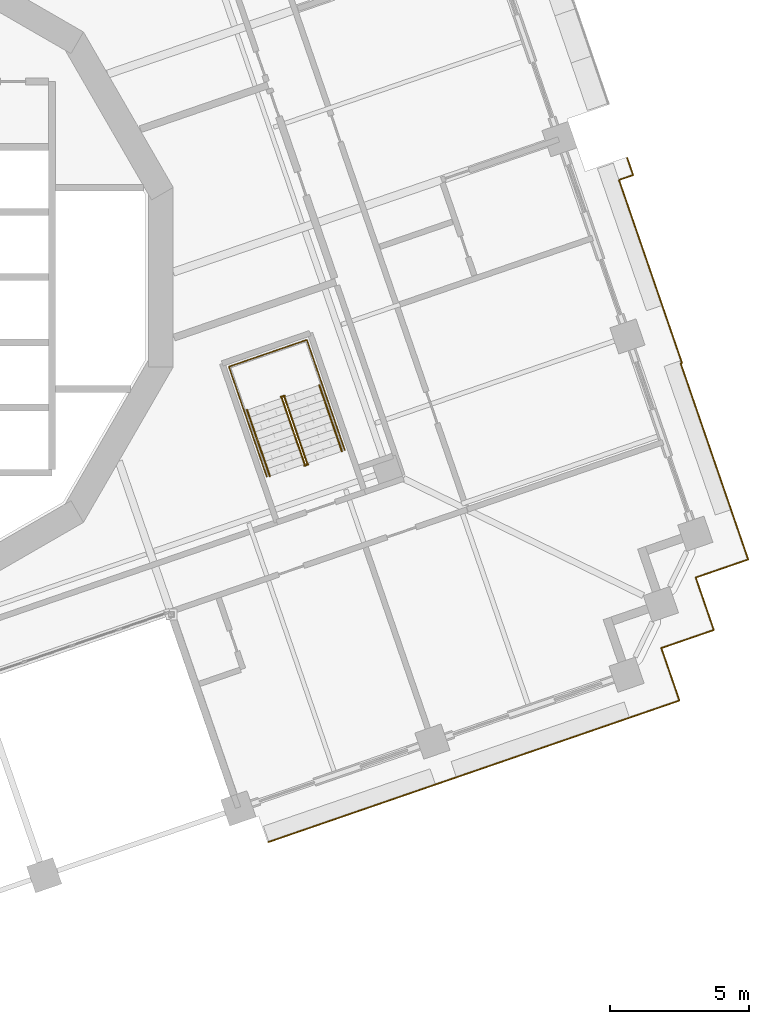
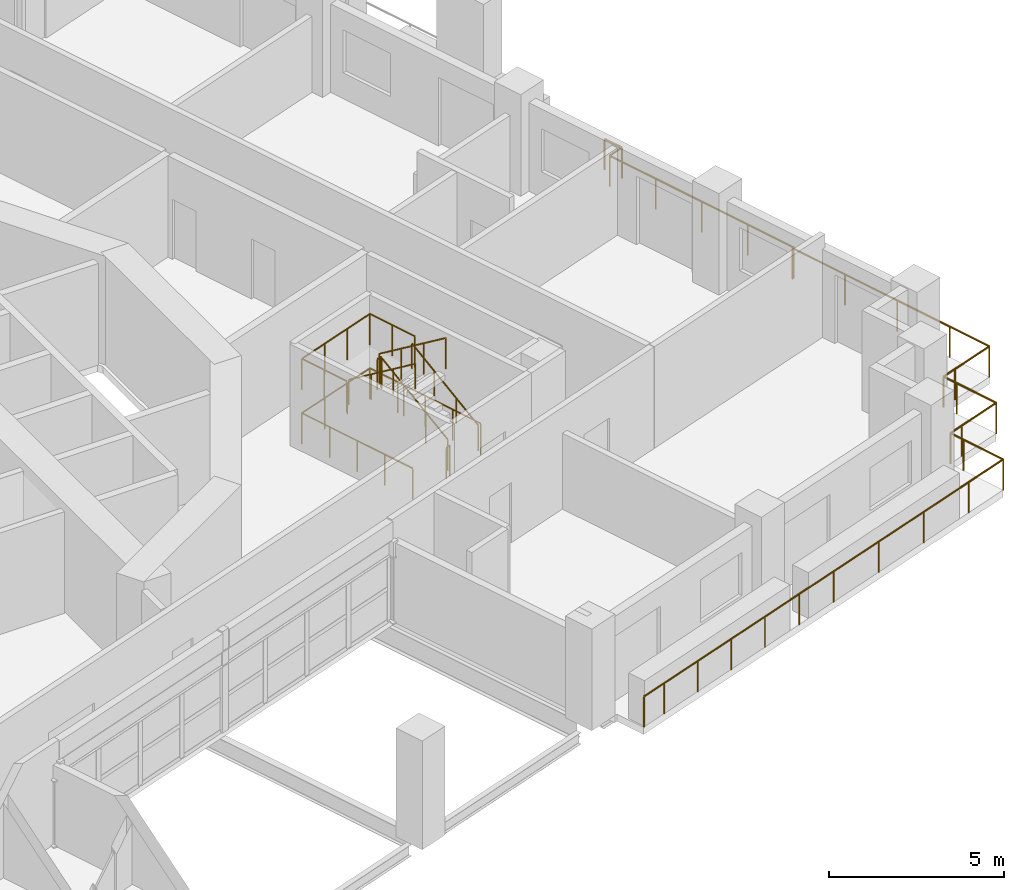
# One storey, part 18 of 22: 9 railings.
"""IFC4 building model written with IfcOpenShell, lengths in metres."""

from ifc_helpers import new_model, si_unit, direction, frame, origin, origin_2d, place, context, subcontext, project, spatial, circle, extrude, material, type_object, element, save


model = new_model("IFC4")

# Units and contexts
model_context = context("Model", 3, precision=1e-05, world=origin(), true_north=direction((0.0, 1.0)))
body_context = subcontext(model_context, "Body", "Model", "MODEL_VIEW")
ifc_project = project(units=[si_unit("LENGTHUNIT", "METRE"), si_unit("AREAUNIT", "SQUARE_METRE"), si_unit("VOLUMEUNIT", "CUBIC_METRE"), si_unit("PLANEANGLEUNIT", "RADIAN"), si_unit("MASSUNIT", "GRAM", prefix="KILO")], contexts=[model_context])

# Site, building, storey
site_placement = place(None, origin())
site = spatial("IfcSite", under=ifc_project, at=site_placement, CompositionType="ELEMENT")
building_placement = place(site_placement, origin())
building = spatial("IfcBuilding", under=site, at=building_placement, Name="Cantera Rosa Tower", CompositionType="ELEMENT")
storey_placement = place(building_placement, frame((0.0, 0.0, 104.10009765625)))
storey = spatial("IfcBuildingStorey", under=building, at=storey_placement, Name="L20", CompositionType="ELEMENT", Elevation=104.10009765625)

# Railings
ifc_material_1 = material(Name="Stainless steel and laminated glass", Category="steel")
railing_type_1 = type_object("IfcRailingType", Name="GUARD 1100", PredefinedType="BALUSTRADE", material=ifc_material_1)
railing_1_placement = place(storey_placement, frame((29.6689453125, -13.369140625, 0.0)))
element("IfcRailing", 1, at=railing_1_placement, inside=storey, type_object=railing_type_1, Name="GUARD L20-8", PredefinedType="BALUSTRADE", context=body_context, shape_type="SweptSolid", body=[
    extrude(circle(Radius=0.030029296875, at=origin_2d()), frame((0.0, 0.0, 1.070068359375), z_axis=(0.32573481536, -0.945461173218, 0.0), x_axis=(0.945461173218, 0.32573481536, 0.0)), (0.0, 0.0, 1.0), 0.5),
    extrude(circle(Radius=0.030029296875, at=origin_2d()), frame((0.162841796875, -0.47265625, 1.070068359375), z_axis=(0.325489086777, -0.945545797087, 0.0), x_axis=(0.945545797087, 0.325489086777, 0.0)), (0.0, 0.0, 1.0), 1.500244140625),
    extrude(circle(Radius=0.030029296875, at=origin_2d()), frame((0.651123046875, -1.89111328125, 1.070068359375), z_axis=(-0.945528551438, -0.325539181077, 0.0), x_axis=(0.325539181077, -0.945528551438, 0.0)), (0.0, 0.0, 1.0), 1.5),
    extrude(circle(Radius=0.030029296875, at=origin_2d()), frame((-0.76708984375, -2.37939453125, 1.070068359375), z_axis=(-0.945517123015, -0.325572373037, 0.0), x_axis=(0.325572373037, -0.945517123015, 0.0)), (0.0, 0.0, 1.0), 5.900146484375),
    extrude(circle(Radius=0.030029296875, at=origin_2d()), frame((-6.345703125, -4.30029296875, 1.070068359375), z_axis=(-0.945528551438, -0.325539181077, 0.0), x_axis=(0.325539181077, -0.945528551438, 0.0)), (0.0, 0.0, 1.0), 2.999755859375),
    extrude(circle(Radius=0.030029296875, at=origin_2d()), frame((-9.18212890625, -5.27685546875, 1.070068359375), z_axis=(-0.945513227049, -0.325583687361, 0.0), x_axis=(0.325583687361, -0.945513227049, 0.0)), (0.0, 0.0, 1.0), 4.400146484375),
    extrude(circle(Radius=0.030029296875, at=origin_2d()), frame((-13.342529296875, -6.70947265625, 1.070068359375), z_axis=(-0.945522007901, -0.325558186158, 0.0), x_axis=(0.325558186158, -0.945522007901, 0.0)), (0.0, 0.0, 1.0), 0.869873046875),
    extrude(circle(Radius=0.02490234375, at=origin_2d()), origin(), (0.0, 0.0, 1.0), 1.0400390625),
    extrude(circle(Radius=0.02490234375, at=origin_2d()), frame((0.162841796875, -0.47265625, 0.0)), (0.0, 0.0, 1.0), 1.0400390625),
    extrude(circle(Radius=0.02490234375, at=origin_2d()), frame((0.651123046875, -1.89111328125, 0.0)), (0.0, 0.0, 1.0), 1.0400390625),
    extrude(circle(Radius=0.02490234375, at=origin_2d()), frame((-0.76708984375, -2.37939453125, 0.0)), (0.0, 0.0, 1.0), 1.0400390625),
    extrude(circle(Radius=0.02490234375, at=origin_2d()), frame((-2.626708984375, -3.019775390625, 0.0)), (0.0, 0.0, 1.0), 1.0400390625),
    extrude(circle(Radius=0.02490234375, at=origin_2d()), frame((-4.486083984375, -3.659912109375, 0.0)), (0.0, 0.0, 1.0), 1.0400390625),
    extrude(circle(Radius=0.02490234375, at=origin_2d()), frame((-6.345703125, -4.30029296875, 0.0)), (0.0, 0.0, 1.0), 1.0400390625),
    extrude(circle(Radius=0.02490234375, at=origin_2d()), frame((-7.763916015625, -4.78857421875, 0.0)), (0.0, 0.0, 1.0), 1.0400390625),
    extrude(circle(Radius=0.02490234375, at=origin_2d()), frame((-9.18212890625, -5.27685546875, 0.0)), (0.0, 0.0, 1.0), 1.0400390625),
    extrude(circle(Radius=0.02490234375, at=origin_2d()), frame((-10.56884765625, -5.75439453125, 0.0)), (0.0, 0.0, 1.0), 1.0400390625),
    extrude(circle(Radius=0.02490234375, at=origin_2d()), frame((-11.955810546875, -6.23193359375, 0.0)), (0.0, 0.0, 1.0), 1.0400390625),
    extrude(circle(Radius=0.02490234375, at=origin_2d()), frame((-13.342529296875, -6.70947265625, 0.0)), (0.0, 0.0, 1.0), 1.0400390625),
    extrude(circle(Radius=0.02490234375, at=origin_2d()), frame((-14.1650390625, -6.99267578125, 0.0)), (0.0, 0.0, 1.0), 1.0400390625),
])
railing_2_placement = place(storey_placement, frame((28.4375, 4.302734375, 0.0)))
element("IfcRailing", 2, at=railing_2_placement, inside=storey, type_object=railing_type_1, Name="GUARD L20-9", PredefinedType="BALUSTRADE", context=body_context, shape_type="SweptSolid", body=[
    extrude(circle(Radius=0.030029296875, at=origin_2d()), frame((0.0, 0.0, 1.070068359375), z_axis=(0.325659546452, -0.945487101871, 0.0), x_axis=(0.945487101871, 0.325659546452, 0.0)), (0.0, 0.0, 1.0), 0.658935546875),
    extrude(circle(Radius=0.030029296875, at=origin_2d()), frame((0.214599609375, -0.623046875, 1.070068359375), z_axis=(-0.945368163096, -0.326004656722, 0.0), x_axis=(0.326004656722, -0.945368163096, 0.0)), (0.0, 0.0, 1.0), 0.538330078125),
    extrude(circle(Radius=0.030029296875, at=origin_2d()), frame((-0.29443359375, -0.798583984375, 1.070068359375), z_axis=(0.325570342636, -0.945517822146, 0.0), x_axis=(0.945517822146, 0.325570342636, 0.0)), (0.0, 0.0, 1.0), 6.9814453125),
    extrude(circle(Radius=0.030029296875, at=origin_2d()), frame((1.978515625, -7.399658203125, 1.070068359375), z_axis=(-0.946241776499, -0.323460199109, 0.0), x_axis=(0.323460199109, -0.946241776499, 0.0)), (0.0, 0.0, 1.0), 0.050537109375),
    extrude(circle(Radius=0.030029296875, at=origin_2d()), frame((1.9306640625, -7.416015625, 1.070068359375), z_axis=(0.325549503815, -0.945524997325, 0.0), x_axis=(0.945524997325, 0.325549503815, 0.0)), (0.0, 0.0, 1.0), 5.969482421875),
    extrude(circle(Radius=0.030029296875, at=origin_2d()), frame((3.8740234375, -13.060302734375, 1.070068359375), z_axis=(0.325539181077, -0.945528551438, 0.0), x_axis=(0.945528551438, 0.325539181077, 0.0)), (0.0, 0.0, 1.0), 1.5),
    extrude(circle(Radius=0.030029296875, at=origin_2d()), frame((4.3623046875, -14.478515625, 1.070068359375), z_axis=(-0.945528551438, -0.325539181077, 0.0), x_axis=(0.325539181077, -0.945528551438, 0.0)), (0.0, 0.0, 1.0), 1.5),
    extrude(circle(Radius=0.030029296875, at=origin_2d()), frame((2.944091796875, -14.966796875, 1.070068359375), z_axis=(-0.945461173218, -0.32573481536, 0.0), x_axis=(0.32573481536, -0.945461173218, 0.0)), (0.0, 0.0, 1.0), 0.5),
    extrude(circle(Radius=0.030029296875, at=origin_2d()), frame((2.471435546875, -15.129638671875, 1.070068359375), z_axis=(0.325147989177, -0.945663145699, 0.0), x_axis=(0.945663145699, 0.325147989177, 0.0)), (0.0, 0.0, 1.0), 0.5),
    extrude(circle(Radius=0.030029296875, at=origin_2d()), frame((2.634033203125, -15.6025390625, 1.070068359375), z_axis=(0.325684689469, -0.945478441343, 0.0), x_axis=(0.945478441343, 0.325684689469, 0.0)), (0.0, 0.0, 1.0), 1.5),
    extrude(circle(Radius=0.030029296875, at=origin_2d()), frame((3.12255859375, -17.020751953125, 1.070068359375), z_axis=(-0.945545797087, -0.325489086777, 0.0), x_axis=(0.325489086777, -0.945545797087, 0.0)), (0.0, 0.0, 1.0), 1.500244140625),
    extrude(circle(Radius=0.030029296875, at=origin_2d()), frame((1.7041015625, -17.509033203125, 1.070068359375), z_axis=(-0.945461173218, -0.32573481536, 0.0), x_axis=(0.32573481536, -0.945461173218, 0.0)), (0.0, 0.0, 1.0), 0.5),
    extrude(circle(Radius=0.02490234375, at=origin_2d()), origin(), (0.0, 0.0, 1.0), 1.0400390625),
    extrude(circle(Radius=0.02490234375, at=origin_2d()), frame((0.214599609375, -0.623046875, 0.0)), (0.0, 0.0, 1.0), 1.0400390625),
    extrude(circle(Radius=0.02490234375, at=origin_2d()), frame((-0.29443359375, -0.798583984375, 0.0)), (0.0, 0.0, 1.0), 1.0400390625),
    extrude(circle(Radius=0.02490234375, at=origin_2d()), frame((0.27392578125, -2.44873046875, 0.0)), (0.0, 0.0, 1.0), 1.0400390625),
    extrude(circle(Radius=0.02490234375, at=origin_2d()), frame((0.842041015625, -4.09912109375, 0.0)), (0.0, 0.0, 1.0), 1.0400390625),
    extrude(circle(Radius=0.02490234375, at=origin_2d()), frame((1.41015625, -5.74951171875, 0.0)), (0.0, 0.0, 1.0), 1.0400390625),
    extrude(circle(Radius=0.02490234375, at=origin_2d()), frame((1.978515625, -7.399658203125, 0.0)), (0.0, 0.0, 1.0), 1.0400390625),
    extrude(circle(Radius=0.02490234375, at=origin_2d()), frame((1.9306640625, -7.416015625, 0.0)), (0.0, 0.0, 1.0), 1.0400390625),
    extrude(circle(Radius=0.02490234375, at=origin_2d()), frame((2.578369140625, -9.29736328125, 0.0)), (0.0, 0.0, 1.0), 1.0400390625),
    extrude(circle(Radius=0.02490234375, at=origin_2d()), frame((3.226318359375, -11.178955078125, 0.0)), (0.0, 0.0, 1.0), 1.0400390625),
    extrude(circle(Radius=0.02490234375, at=origin_2d()), frame((3.8740234375, -13.060302734375, 0.0)), (0.0, 0.0, 1.0), 1.0400390625),
    extrude(circle(Radius=0.02490234375, at=origin_2d()), frame((4.3623046875, -14.478515625, 0.0)), (0.0, 0.0, 1.0), 1.0400390625),
    extrude(circle(Radius=0.02490234375, at=origin_2d()), frame((2.944091796875, -14.966796875, 0.0)), (0.0, 0.0, 1.0), 1.0400390625),
    extrude(circle(Radius=0.02490234375, at=origin_2d()), frame((2.471435546875, -15.129638671875, 0.0)), (0.0, 0.0, 1.0), 1.0400390625),
    extrude(circle(Radius=0.02490234375, at=origin_2d()), frame((2.634033203125, -15.6025390625, 0.0)), (0.0, 0.0, 1.0), 1.0400390625),
    extrude(circle(Radius=0.02490234375, at=origin_2d()), frame((3.12255859375, -17.020751953125, 0.0)), (0.0, 0.0, 1.0), 1.0400390625),
    extrude(circle(Radius=0.02490234375, at=origin_2d()), frame((1.7041015625, -17.509033203125, 0.0)), (0.0, 0.0, 1.0), 1.0400390625),
    extrude(circle(Radius=0.02490234375, at=origin_2d()), frame((1.2314453125, -17.671875, 0.0)), (0.0, 0.0, 1.0), 1.0400390625),
])
ifc_material_2 = material(Name="Steel S355J2 (EN 10025-2)", Category="steel")
railing_type_2 = type_object("IfcRailingType", Name="STAIR GUARD 1100", PredefinedType="GUARDRAIL", material=ifc_material_2)
railing_3_placement = place(storey_placement, frame((16.902099609375, -6.707763671875, 0.18994140625)))
element("IfcRailing", 3, at=railing_3_placement, inside=storey, type_object=railing_type_2, Name="L20 ST-23 stair guard 1", PredefinedType="GUARDRAIL", context=body_context, shape_type="SweptSolid", body=[
    extrude(circle(Radius=0.02392578125, at=origin_2d()), frame((0.0, 0.0, 1.076171875), z_axis=(-0.269358070891, 0.782421063063, 0.561483312059), x_axis=(-0.945537585866, -0.325512939397, 0.0)), (0.0, 0.0, 1.0), 3.04541015625),
    extrude(circle(Radius=0.02392578125, at=origin_2d()), frame((-0.8203125, 2.3828125, 2.7861328125), z_axis=(0.147491890402, 0.989063265047, 0.0), x_axis=(-0.989063265047, 0.147491890402, 0.0)), (0.0, 0.0, 1.0), 0.056396484375),
    extrude(circle(Radius=0.02392578125, at=origin_2d()), frame((-0.81201171875, 2.4384765625, 2.7861328125), z_axis=(-0.945545797087, -0.325489086777, 0.0), x_axis=(0.325489086777, -0.945545797087, 0.0)), (0.0, 0.0, 1.0), 0.14990234375),
    extrude(circle(Radius=0.02099609375, at=origin_2d()), origin(), (0.0, 0.0, 1.0), 1.052001953125),
    extrude(circle(Radius=0.02099609375, at=origin_2d()), frame((-0.2734375, 0.794189453125, 0.570068359375)), (0.0, 0.0, 1.0), 1.052001953125),
    extrude(circle(Radius=0.02099609375, at=origin_2d()), frame((-0.546875, 1.588623046875, 1.139892578125)), (0.0, 0.0, 1.0), 1.052001953125),
    extrude(circle(Radius=0.02099609375, at=origin_2d()), frame((-0.8203125, 2.3828125, 1.7099609375)), (0.0, 0.0, 1.0), 1.052001953125),
    extrude(circle(Radius=0.02099609375, at=origin_2d()), frame((-0.81201171875, 2.4384765625, 1.7099609375)), (0.0, 0.0, 1.0), 1.052001953125),
    extrude(circle(Radius=0.02099609375, at=origin_2d()), frame((-0.953857421875, 2.3896484375, 1.7099609375)), (0.0, 0.0, 1.0), 1.052001953125),
])
railing_4_placement = place(storey_placement, frame((15.989013671875, -4.35693359375, 2.08984375)))
element("IfcRailing", 4, at=railing_4_placement, inside=storey, type_object=railing_type_2, Name="L20 ST-23 stair guard 2", PredefinedType="GUARDRAIL", context=body_context, shape_type="SweptSolid", body=[
    extrude(circle(Radius=0.02392578125, at=origin_2d()), frame((0.0, 0.0, 1.076171875), z_axis=(0.269432418223, -0.782404165978, 0.561471186323), x_axis=(0.94550776501, 0.325599548996, 0.0)), (0.0, 0.0, 1.0), 3.04541015625),
    extrude(circle(Radius=0.02099609375, at=origin_2d()), origin(), (0.0, 0.0, 1.0), 1.052001953125),
    extrude(circle(Radius=0.02099609375, at=origin_2d()), frame((0.2734375, -0.794189453125, 0.570068359375)), (0.0, 0.0, 1.0), 1.052001953125),
    extrude(circle(Radius=0.02099609375, at=origin_2d()), frame((0.547119140625, -1.588623046875, 1.139892578125)), (0.0, 0.0, 1.0), 1.052001953125),
    extrude(circle(Radius=0.02099609375, at=origin_2d()), frame((0.820556640625, -2.3828125, 1.7099609375)), (0.0, 0.0, 1.0), 1.052001953125),
])
railing_5_placement = place(storey_placement, frame((16.94287109375, -6.74658203125, 0.0)))
element("IfcRailing", 5, at=railing_5_placement, inside=storey, type_object=railing_type_2, Name="L20 ST-23 stair guard 3", PredefinedType="GUARDRAIL", context=body_context, shape_type="SweptSolid", body=[
    extrude(circle(Radius=0.02392578125, at=origin_2d()), frame((0.0, 0.0, 1.076171875), z_axis=(-0.945372981626, -0.325990683319, 0.0), x_axis=(0.325990683319, -0.945372981626, 0.0)), (0.0, 0.0, 1.0), 0.14990234375),
    extrude(circle(Radius=0.02099609375, at=origin_2d()), origin(), (0.0, 0.0, 1.0), 1.052001953125),
    extrude(circle(Radius=0.02099609375, at=origin_2d()), frame((-0.1416015625, -0.048828125, 0.0)), (0.0, 0.0, 1.0), 1.052001953125),
])
railing_6_placement = place(storey_placement, frame((18.256103515625, -6.22900390625, 0.0)))
element("IfcRailing", 6, at=railing_6_placement, inside=storey, type_object=railing_type_2, Name="L20 ST-23 stair guard 4", PredefinedType="GUARDRAIL", context=body_context, shape_type="SweptSolid", body=[
    extrude(circle(Radius=0.02392578125, at=origin_2d()), frame((0.0, 0.0, 1.076171875), z_axis=(-0.3255981694, 0.945508240093, 0.0), x_axis=(-0.945508240093, -0.3255981694, 0.0)), (0.0, 0.0, 1.0), 4.1982421875),
    extrude(circle(Radius=0.02392578125, at=origin_2d()), frame((-1.366943359375, 3.969482421875, 1.076171875), z_axis=(-0.945504814226, -0.325608117645, 0.0), x_axis=(0.325608117645, -0.945504814226, 0.0)), (0.0, 0.0, 1.0), 2.969970703125),
    extrude(circle(Radius=0.02392578125, at=origin_2d()), frame((-4.175048828125, 3.00244140625, 1.076171875), z_axis=(0.325564081496, -0.945519978022, 0.0), x_axis=(0.945519978022, 0.325564081496, 0.0)), (0.0, 0.0, 1.0), 4.197998046875),
    extrude(circle(Radius=0.02099609375, at=origin_2d()), origin(), (0.0, 0.0, 1.0), 1.052001953125),
    extrude(circle(Radius=0.02099609375, at=origin_2d()), frame((-0.341796875, 0.992431640625, 0.0)), (0.0, 0.0, 1.0), 1.052001953125),
    extrude(circle(Radius=0.02099609375, at=origin_2d()), frame((-0.68359375, 1.98486328125, 0.0)), (0.0, 0.0, 1.0), 1.052001953125),
    extrude(circle(Radius=0.02099609375, at=origin_2d()), frame((-1.025146484375, 2.97705078125, 0.0)), (0.0, 0.0, 1.0), 1.052001953125),
    extrude(circle(Radius=0.02099609375, at=origin_2d()), frame((-1.366943359375, 3.969482421875, 0.0)), (0.0, 0.0, 1.0), 1.052001953125),
    extrude(circle(Radius=0.02099609375, at=origin_2d()), frame((-2.302978515625, 3.647216796875, 0.0)), (0.0, 0.0, 1.0), 1.052001953125),
    extrude(circle(Radius=0.02099609375, at=origin_2d()), frame((-3.239013671875, 3.32470703125, 0.0)), (0.0, 0.0, 1.0), 1.052001953125),
    extrude(circle(Radius=0.02099609375, at=origin_2d()), frame((-4.175048828125, 3.00244140625, 0.0)), (0.0, 0.0, 1.0), 1.052001953125),
    extrude(circle(Radius=0.02099609375, at=origin_2d()), frame((-3.83349609375, 2.01025390625, 0.0)), (0.0, 0.0, 1.0), 1.052001953125),
    extrude(circle(Radius=0.02099609375, at=origin_2d()), frame((-3.49169921875, 1.017822265625, 0.0)), (0.0, 0.0, 1.0), 1.052001953125),
    extrude(circle(Radius=0.02099609375, at=origin_2d()), frame((-3.14990234375, 0.025390625, 0.0)), (0.0, 0.0, 1.0), 1.052001953125),
    extrude(circle(Radius=0.02099609375, at=origin_2d()), frame((-2.808349609375, -0.966796875, 0.0)), (0.0, 0.0, 1.0), 1.052001953125),
])
railing_7_placement = place(storey_placement, frame((17.443359375, -3.868896484375, 1.89990234375)))
element("IfcRailing", 7, at=railing_7_placement, inside=storey, type_object=railing_type_2, Name="L20 ST-23 stair guard 5", PredefinedType="GUARDRAIL", context=body_context, shape_type="SweptSolid", body=[
    extrude(circle(Radius=0.02392578125, at=origin_2d()), frame((0.0, 0.0, 1.076171875), z_axis=(-0.32559282233, 0.94551008141, 0.0), x_axis=(-0.94551008141, -0.32559282233, 0.0)), (0.0, 0.0, 1.0), 1.7021484375),
    extrude(circle(Radius=0.02392578125, at=origin_2d()), frame((-0.55419921875, 1.609375, 1.076171875), z_axis=(-0.945504814226, -0.325608117645, 0.0), x_axis=(0.325608117645, -0.945504814226, 0.0)), (0.0, 0.0, 1.0), 2.969970703125),
    extrude(circle(Radius=0.02392578125, at=origin_2d()), frame((-3.3623046875, 0.642333984375, 1.076171875), z_axis=(0.32559282233, -0.94551008141, 0.0), x_axis=(0.94551008141, 0.32559282233, 0.0)), (0.0, 0.0, 1.0), 1.7021484375),
    extrude(circle(Radius=0.02099609375, at=origin_2d()), origin(), (0.0, 0.0, 1.0), 1.052001953125),
    extrude(circle(Radius=0.02099609375, at=origin_2d()), frame((-0.277099609375, 0.8046875, 0.0)), (0.0, 0.0, 1.0), 1.052001953125),
    extrude(circle(Radius=0.02099609375, at=origin_2d()), frame((-0.55419921875, 1.609375, 0.0)), (0.0, 0.0, 1.0), 1.052001953125),
    extrude(circle(Radius=0.02099609375, at=origin_2d()), frame((-1.490234375, 1.287109375, 0.0)), (0.0, 0.0, 1.0), 1.052001953125),
    extrude(circle(Radius=0.02099609375, at=origin_2d()), frame((-2.42626953125, 0.964599609375, 0.0)), (0.0, 0.0, 1.0), 1.052001953125),
    extrude(circle(Radius=0.02099609375, at=origin_2d()), frame((-3.3623046875, 0.642333984375, 0.0)), (0.0, 0.0, 1.0), 1.052001953125),
    extrude(circle(Radius=0.02099609375, at=origin_2d()), frame((-3.085205078125, -0.162353515625, 0.0)), (0.0, 0.0, 1.0), 1.052001953125),
    extrude(circle(Radius=0.02099609375, at=origin_2d()), frame((-2.80810546875, -0.967041015625, 0.0)), (0.0, 0.0, 1.0), 1.052001953125),
])
ifc_material_3 = material(Name="Steel S355J2 (EN 10025-2)", Category="steel")
railing_type_3 = type_object("IfcRailingType", Name="STAIR HANDRAIL 900", PredefinedType="HANDRAIL", material=ifc_material_3)
railing_8_placement = place(storey_placement, frame((18.15576171875, -6.276123046875, 0.18994140625)))
element("IfcRailing", 8, at=railing_8_placement, inside=storey, type_object=railing_type_3, Name="L20 ST-23 stair handrail 1", PredefinedType="HANDRAIL", context=body_context, shape_type="SweptSolid", body=[
    extrude(circle(Radius=0.02392578125, at=origin_2d()), frame((0.0, 0.0, 0.8759765625), z_axis=(-0.269358070891, 0.782421063063, 0.561483312059), x_axis=(-0.945537585866, -0.325512939397, 0.0)), (0.0, 0.0, 1.0), 3.04541015625),
    extrude(circle(Radius=0.02099609375, at=origin_2d()), origin(), (0.0, 0.0, 1.0), 0.851806640625),
    extrude(circle(Radius=0.02099609375, at=origin_2d()), frame((-0.2734375, 0.794189453125, 0.570068359375)), (0.0, 0.0, 1.0), 0.851806640625),
    extrude(circle(Radius=0.02099609375, at=origin_2d()), frame((-0.546875, 1.588623046875, 1.139892578125)), (0.0, 0.0, 1.0), 0.851806640625),
    extrude(circle(Radius=0.02099609375, at=origin_2d()), frame((-0.8203125, 2.3828125, 1.7099609375)), (0.0, 0.0, 1.0), 0.851806640625),
])
railing_9_placement = place(storey_placement, frame((14.7353515625, -4.78857421875, 2.08984375)))
element("IfcRailing", 9, at=railing_9_placement, inside=storey, type_object=railing_type_3, Name="L20 ST-23 stair handrail 2", PredefinedType="HANDRAIL", context=body_context, shape_type="SweptSolid", body=[
    extrude(circle(Radius=0.02392578125, at=origin_2d()), frame((0.0, 0.0, 0.8759765625), z_axis=(0.269358070891, -0.782421063063, 0.561483312059), x_axis=(0.945537585866, 0.325512939397, 0.0)), (0.0, 0.0, 1.0), 3.04541015625),
    extrude(circle(Radius=0.02099609375, at=origin_2d()), origin(), (0.0, 0.0, 1.0), 0.851806640625),
    extrude(circle(Radius=0.02099609375, at=origin_2d()), frame((0.2734375, -0.794189453125, 0.570068359375)), (0.0, 0.0, 1.0), 0.851806640625),
    extrude(circle(Radius=0.02099609375, at=origin_2d()), frame((0.546875, -1.588623046875, 1.139892578125)), (0.0, 0.0, 1.0), 0.851806640625),
    extrude(circle(Radius=0.02099609375, at=origin_2d()), frame((0.8203125, -2.3828125, 1.7099609375)), (0.0, 0.0, 1.0), 0.851806640625),
])

save(model, "model.ifc")
